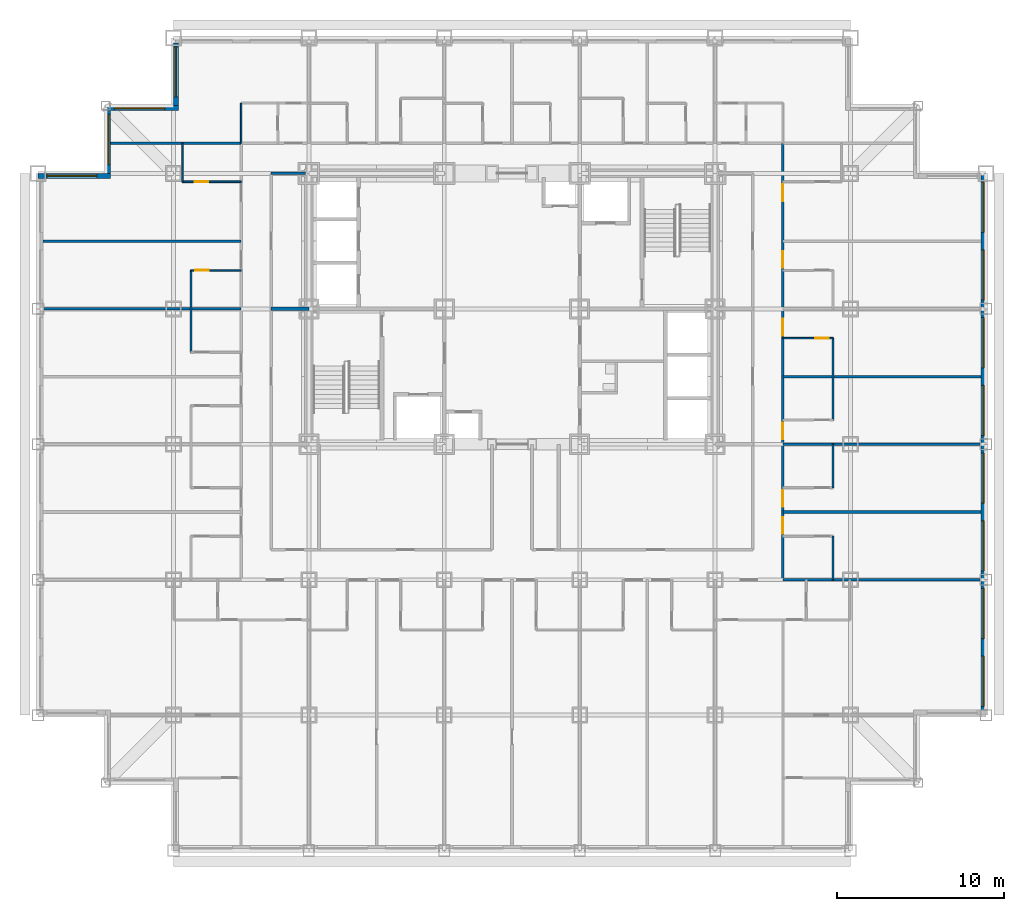
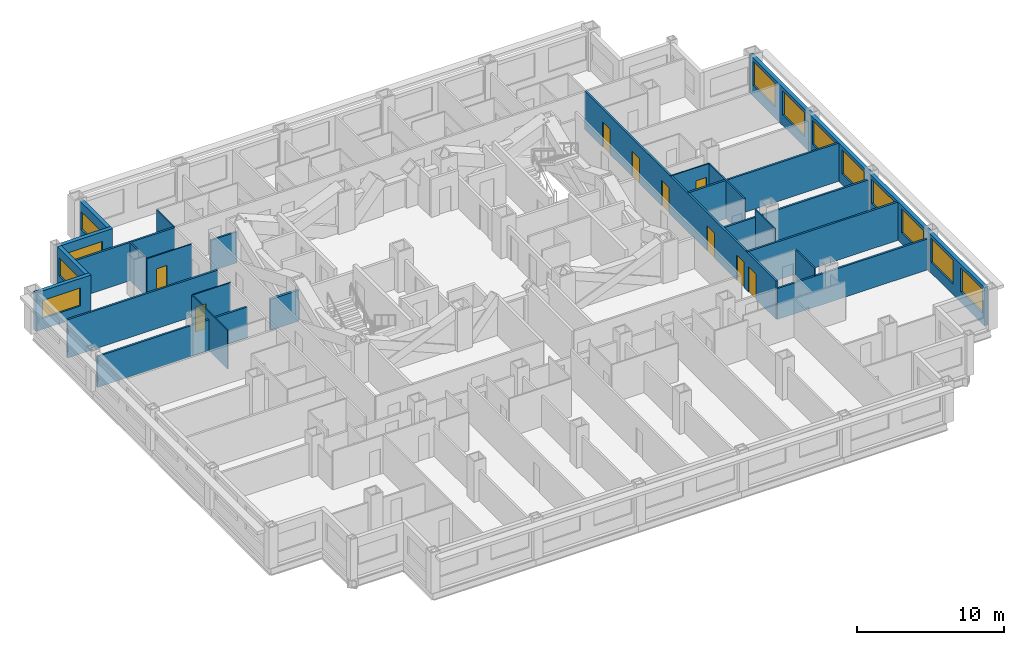
# One storey, part 7 of 12: 24 walls, 12 windows, 9 doors, 21 openings.
"""IFC4 building model written with IfcOpenShell, lengths in metres."""

from ifc_helpers import new_model, si_unit, direction, frame, frame_2d, origin, place, context, subcontext, project, spatial, rectangle, extrude, material, layer, layer_set, type_object, element, fill, save


model = new_model("IFC4")

# Units and contexts
model_context = context("Model", 3, precision=1e-05, world=origin(), true_north=direction((0.0, 1.0)))
body_context = subcontext(model_context, "Body", "Model", "MODEL_VIEW")
ifc_project = project(units=[si_unit("LENGTHUNIT", "METRE"), si_unit("AREAUNIT", "SQUARE_METRE"), si_unit("VOLUMEUNIT", "CUBIC_METRE"), si_unit("PLANEANGLEUNIT", "RADIAN"), si_unit("MASSUNIT", "GRAM", prefix="KILO")], contexts=[model_context])

# Site, building, storey
site_placement = place(None, origin())
site = spatial("IfcSite", under=ifc_project, at=site_placement, CompositionType="ELEMENT")
building_placement = place(site_placement, origin())
building = spatial("IfcBuilding", under=site, at=building_placement, Name="Kopane Lantern Tower", CompositionType="ELEMENT")
storey_placement = place(building_placement, frame((0.0, 0.0, 36.39990234375)))
storey = spatial("IfcBuildingStorey", under=building, at=storey_placement, Name="L07", CompositionType="ELEMENT", Elevation=36.39990234375)

# Wall
ifc_material_1 = material(Name="Moisture-resistant board on steel studs", Category="steel")
ifc_layer_1 = layer(ifc_material_1, 0.10009765625)
ifc_layer_set_1 = layer_set([ifc_layer_1], Name="BATHROOM WALL 100")
wall_type_1 = type_object("IfcWallType", Name="BATHROOM WALL 100", PredefinedType="PARTITIONING", material=ifc_layer_set_1)
wall_1_placement = place(storey_placement, frame((9.14990234375, 29.800048828125, 0.0), z_axis=(0.0, 0.0, 1.0), x_axis=(0.0, 1.0, 0.0)))
element("IfcWall", 1, at=wall_1_placement, inside=storey, type_object=wall_type_1, Name="Bathroom Wall 100 L07", PredefinedType="PARTITIONING", context=body_context, shape_type="SweptSolid", body=[
    extrude(rectangle(XDim=4.89990234375, YDim=0.10009765625, at=frame_2d((2.449951171875, 0.0))), origin(), (0.0, 0.0, 1.0), 3.190185546875),
])

# Wall, opening, door
wall_2_placement = place(storey_placement, frame((12.14990234375, 34.699951171875, 0.0), z_axis=(0.0, 0.0, 1.0), x_axis=(-1.0, 0.0, 0.0)))
wall_2 = element("IfcWall", 2, at=wall_2_placement, inside=storey, type_object=wall_type_1, Name="Bathroom Wall 100 L07", PredefinedType="PARTITIONING", context=body_context, shape_type="SweptSolid", body=[
    extrude(rectangle(XDim=3.0, YDim=0.10009765625, at=frame_2d((1.5, 0.0))), origin(), (0.0, 0.0, 1.0), 3.190185546875),
])
opening_1_placement = place(wall_2_placement, frame((1.949951171875, 0.0, 0.0)))
opening_1 = element("IfcOpeningElement", 3, at=opening_1_placement, cuts=wall_2, Name="Opening L07-043", PredefinedType="OPENING", context=body_context, shape_type="SweptSolid", body=[
    extrude(rectangle(XDim=0.800048828125, YDim=2.10009765625, at=frame_2d((0.39990234375, 1.050048828125))), frame((0.0, 0.06005859375, 0.0), z_axis=(0.0, -1.0, 0.0), x_axis=(1.0, 0.0, 0.0)), (0.0, 0.0, 1.0), 0.1201171875),
])
ifc_material_2 = material(Name="Timber door set", Category="wood")
door_type_1 = type_object("IfcDoorType", Name="DOOR D2 800x2100", OperationType="SINGLE_SWING_LEFT", PredefinedType="DOOR", material=ifc_material_2)
door_1_placement = place(opening_1_placement, origin())
door_1 = element("IfcDoor", 4, at=door_1_placement, inside=storey, type_object=door_type_1, Name="Door L07-043", OperationType="SINGLE_SWING_RIGHT", OverallHeight=2.10009765625, OverallWidth=0.800048828125, PredefinedType="DOOR", context=body_context, shape_type="SweptSolid", body=[
    extrude(rectangle(XDim=0.800048828125, YDim=2.10009765625, at=frame_2d((0.39990234375, 1.050048828125))), frame((0.0, 0.02490234375, 0.0), z_axis=(0.0, -1.0, 0.0), x_axis=(1.0, 0.0, 0.0)), (0.0, 0.0, 1.0), 0.050048828125),
])
fill(opening_1, door_1)

# Wall
wall_3_placement = place(storey_placement, frame((8.635009765625, 40.0, 0.0), z_axis=(0.0, 0.0, 1.0), x_axis=(0.0, 1.0, 0.0)))
element("IfcWall", 5, at=wall_3_placement, inside=storey, type_object=wall_type_1, Name="Bathroom Wall 100 L07", PredefinedType="PARTITIONING", context=body_context, shape_type="SweptSolid", body=[
    extrude(rectangle(XDim=2.300048828125, YDim=0.10009765625, at=frame_2d((1.14990234375, 0.0))), origin(), (0.0, 0.0, 1.0), 3.190185546875),
])

# Wall, opening, door
wall_4_placement = place(storey_placement, frame((12.14990234375, 40.0, 0.0), z_axis=(0.0, 0.0, 1.0), x_axis=(-1.0, 0.0, 0.0)))
wall_4 = element("IfcWall", 6, at=wall_4_placement, inside=storey, type_object=wall_type_1, Name="Bathroom Wall 100 L07", PredefinedType="PARTITIONING", context=body_context, shape_type="SweptSolid", body=[
    extrude(rectangle(XDim=3.514892578125, YDim=0.10009765625, at=frame_2d((1.75732421875, 0.0))), origin(), (0.0, 0.0, 1.0), 3.190185546875),
])
opening_2_placement = place(wall_4_placement, frame((1.965087890625, 0.0, 0.0)))
opening_2 = element("IfcOpeningElement", 7, at=opening_2_placement, cuts=wall_4, Name="Opening L07-045", PredefinedType="OPENING", context=body_context, shape_type="SweptSolid", body=[
    extrude(rectangle(XDim=0.800048828125, YDim=2.10009765625, at=frame_2d((0.39990234375, 1.050048828125))), frame((0.0, 0.06005859375, 0.0), z_axis=(0.0, -1.0, 0.0), x_axis=(1.0, 0.0, 0.0)), (0.0, 0.0, 1.0), 0.1201171875),
])
door_2_placement = place(opening_2_placement, origin())
door_2 = element("IfcDoor", 8, at=door_2_placement, inside=storey, type_object=door_type_1, Name="Door L07-045", OperationType="SINGLE_SWING_LEFT", OverallHeight=2.10009765625, OverallWidth=0.800048828125, PredefinedType="DOOR", context=body_context, shape_type="SweptSolid", body=[
    extrude(rectangle(XDim=0.800048828125, YDim=2.10009765625, at=frame_2d((0.39990234375, 1.050048828125))), frame((0.0, 0.02490234375, 0.0), z_axis=(0.0, -1.0, 0.0), x_axis=(1.0, 0.0, 0.0)), (0.0, 0.0, 1.0), 0.050048828125),
])
fill(opening_2, door_2)

# Walls
for number, where, z_axis, x_axis, name in (
    (9, (47.550048828125, 16.199951171875, 0.0), (0.0, 0.0, 1.0), (0.0, 1.0, 0.0), "Bathroom Wall 100 L07"),
    (10, (47.550048828125, 21.699951171875, 0.0), (0.0, 0.0, 1.0), (0.0, 1.0, 0.0), "Bathroom Wall 100 L07"),
):
    element("IfcWall", number, at=place(storey_placement, frame(where, z_axis=z_axis, x_axis=x_axis)), inside=storey, type_object=wall_type_1, Name=name, PredefinedType="PARTITIONING", context=body_context, shape_type="SweptSolid", body=[
        extrude(rectangle(XDim=2.60009765625, YDim=0.10009765625, at=frame_2d((1.300048828125, 0.0))), origin(), (0.0, 0.0, 1.0), 3.190185546875),
    ])
wall_5_placement = place(storey_placement, frame((47.550048828125, 25.75, 0.0), z_axis=(0.0, 0.0, 1.0), x_axis=(0.0, 1.0, 0.0)))
element("IfcWall", 11, at=wall_5_placement, inside=storey, type_object=wall_type_1, Name="Bathroom Wall 100 L07", PredefinedType="PARTITIONING", context=body_context, shape_type="SweptSolid", body=[
    extrude(rectangle(XDim=4.89990234375, YDim=0.10009765625, at=frame_2d((2.449951171875, 0.0))), origin(), (0.0, 0.0, 1.0), 3.190185546875),
])

# Wall, opening, door
wall_6_placement = place(storey_placement, frame((44.550048828125, 30.64990234375, 0.0), z_axis=(0.0, 0.0, 1.0), x_axis=(1.0, 0.0, 0.0)))
wall_6 = element("IfcWall", 12, at=wall_6_placement, inside=storey, type_object=wall_type_1, Name="Bathroom Wall 100 L07", PredefinedType="PARTITIONING", context=body_context, shape_type="SweptSolid", body=[
    extrude(rectangle(XDim=3.0, YDim=0.10009765625, at=frame_2d((1.5, 0.0))), origin(), (0.0, 0.0, 1.0), 3.190185546875),
])
opening_3_placement = place(wall_6_placement, frame((1.949951171875, 0.0, 0.0)))
opening_3 = element("IfcOpeningElement", 13, at=opening_3_placement, cuts=wall_6, Name="Opening L07-053", PredefinedType="OPENING", context=body_context, shape_type="SweptSolid", body=[
    extrude(rectangle(XDim=0.800048828125, YDim=2.10009765625, at=frame_2d((0.39990234375, 1.050048828125))), frame((0.0, 0.06005859375, 0.0), z_axis=(0.0, -1.0, 0.0), x_axis=(1.0, 0.0, 0.0)), (0.0, 0.0, 1.0), 0.1201171875),
])
door_3_placement = place(opening_3_placement, origin())
door_3 = element("IfcDoor", 14, at=door_3_placement, inside=storey, type_object=door_type_1, Name="Door L07-053", OperationType="SINGLE_SWING_LEFT", OverallHeight=2.10009765625, OverallWidth=0.800048828125, PredefinedType="DOOR", context=body_context, shape_type="SweptSolid", body=[
    extrude(rectangle(XDim=0.800048828125, YDim=2.10009765625, at=frame_2d((0.39990234375, 1.050048828125))), frame((0.0, 0.02490234375, 0.0), z_axis=(0.0, -1.0, 0.0), x_axis=(1.0, 0.0, 0.0)), (0.0, 0.0, 1.0), 0.050048828125),
])
fill(opening_3, door_3)

# Wall
wall_7_placement = place(storey_placement, frame((12.14990234375, 42.300048828125, 0.0), z_axis=(0.0, 0.0, 1.0), x_axis=(0.0, 1.0, 0.0)))
element("IfcWall", 15, at=wall_7_placement, inside=storey, type_object=wall_type_1, Name="Bathroom Wall 100 L07", PredefinedType="PARTITIONING", context=body_context, shape_type="SweptSolid", body=[
    extrude(rectangle(XDim=2.39990234375, YDim=0.10009765625, at=frame_2d((1.199951171875, 0.0))), origin(), (0.0, 0.0, 1.0), 3.190185546875),
])

# Wall, openings, doors
ifc_material_3 = material(Name="Gypsum board on steel studs", Category="steel")
ifc_layer_2 = layer(ifc_material_3, 0.14990234375)
ifc_layer_set_2 = layer_set([ifc_layer_2], Name="CORRIDOR WALL 150 EI 60")
wall_type_2 = type_object("IfcWallType", Name="CORRIDOR WALL 150 EI 60", PredefinedType="PARTITIONING", material=ifc_layer_set_2)
wall_8_placement = place(storey_placement, frame((44.550048828125, 16.199951171875, 0.0), z_axis=(0.0, 0.0, 1.0), x_axis=(0.0, 1.0, 0.0)))
wall_8 = element("IfcWall", 16, at=wall_8_placement, inside=storey, type_object=wall_type_2, Name="Corridor Wall 150 Ei 60 L07", PredefinedType="PARTITIONING", context=body_context, shape_type="SweptSolid", body=[
    extrude(rectangle(XDim=26.10009765625, YDim=0.14990234375, at=frame_2d((13.050048828125, 0.0))), origin(), (0.0, 0.0, 1.0), 3.190185546875),
])
opening_4_placement = place(wall_8_placement, frame((2.75, 0.0, 0.0)))
opening_4 = element("IfcOpeningElement", 17, at=opening_4_placement, cuts=wall_8, Name="Opening L07-048", PredefinedType="OPENING", context=body_context, shape_type="SweptSolid", body=[
    extrude(rectangle(XDim=1.0, YDim=2.10009765625, at=frame_2d((0.5, 1.050048828125))), frame((0.0, 0.0849609375, 0.0), z_axis=(0.0, -1.0, 0.0), x_axis=(1.0, 0.0, 0.0)), (0.0, 0.0, 1.0), 0.169921875),
])
opening_5_placement = place(wall_8_placement, frame((4.35009765625, 0.0, 0.0)))
opening_5 = element("IfcOpeningElement", 18, at=opening_5_placement, cuts=wall_8, Name="Opening L07-050", PredefinedType="OPENING", context=body_context, shape_type="SweptSolid", body=[
    extrude(rectangle(XDim=1.0, YDim=2.10009765625, at=frame_2d((0.5, 1.050048828125))), frame((0.0, 0.0849609375, 0.0), z_axis=(0.0, -1.0, 0.0), x_axis=(1.0, 0.0, 0.0)), (0.0, 0.0, 1.0), 0.169921875),
])
opening_6_placement = place(wall_8_placement, frame((8.39990234375, 0.0, 0.0)))
opening_6 = element("IfcOpeningElement", 19, at=opening_6_placement, cuts=wall_8, Name="Opening L07-052", PredefinedType="OPENING", context=body_context, shape_type="SweptSolid", body=[
    extrude(rectangle(XDim=1.0, YDim=2.10009765625, at=frame_2d((0.5, 1.050048828125))), frame((0.0, 0.0849609375, 0.0), z_axis=(0.0, -1.0, 0.0), x_axis=(1.0, 0.0, 0.0)), (0.0, 0.0, 1.0), 0.169921875),
])
opening_7_placement = place(wall_8_placement, frame((14.60009765625, 0.0, 0.0)))
opening_7 = element("IfcOpeningElement", 20, at=opening_7_placement, cuts=wall_8, Name="Opening L07-054", PredefinedType="OPENING", context=body_context, shape_type="SweptSolid", body=[
    extrude(rectangle(XDim=1.0, YDim=2.10009765625, at=frame_2d((0.5, 1.050048828125))), frame((0.0, 0.0849609375, 0.0), z_axis=(0.0, -1.0, 0.0), x_axis=(1.0, 0.0, 0.0)), (0.0, 0.0, 1.0), 0.169921875),
])
opening_8_placement = place(wall_8_placement, frame((18.64990234375, 0.0, 0.0)))
opening_8 = element("IfcOpeningElement", 21, at=opening_8_placement, cuts=wall_8, Name="Opening L07-056", PredefinedType="OPENING", context=body_context, shape_type="SweptSolid", body=[
    extrude(rectangle(XDim=1.0, YDim=2.10009765625, at=frame_2d((0.5, 1.050048828125))), frame((0.0, 0.0849609375, 0.0), z_axis=(0.0, -1.0, 0.0), x_axis=(1.0, 0.0, 0.0)), (0.0, 0.0, 1.0), 0.169921875),
])
opening_9_placement = place(wall_8_placement, frame((22.64990234375, 0.0, 0.0)))
opening_9 = element("IfcOpeningElement", 22, at=opening_9_placement, cuts=wall_8, Name="Opening L07-058", PredefinedType="OPENING", context=body_context, shape_type="SweptSolid", body=[
    extrude(rectangle(XDim=1.0, YDim=2.10009765625, at=frame_2d((0.5, 1.050048828125))), frame((0.0, 0.0849609375, 0.0), z_axis=(0.0, -1.0, 0.0), x_axis=(1.0, 0.0, 0.0)), (0.0, 0.0, 1.0), 0.169921875),
])
ifc_material_4 = material(Name="Steel door set", Category="steel")
door_type_2 = type_object("IfcDoorType", Name="DOOR D1 1000x2100 FD30S", OperationType="SINGLE_SWING_LEFT", PredefinedType="DOOR", material=ifc_material_4)
door_4_placement = place(opening_4_placement, origin())
door_4 = element("IfcDoor", 23, at=door_4_placement, inside=storey, type_object=door_type_2, Name="Door L07-048", OperationType="SINGLE_SWING_RIGHT", OverallHeight=2.10009765625, OverallWidth=1.0, PredefinedType="DOOR", context=body_context, shape_type="SweptSolid", body=[
    extrude(rectangle(XDim=1.0, YDim=2.10009765625, at=frame_2d((0.5, 1.050048828125))), frame((0.0, 0.02490234375, 0.0), z_axis=(0.0, -1.0, 0.0), x_axis=(1.0, 0.0, 0.0)), (0.0, 0.0, 1.0), 0.050048828125),
])
fill(opening_4, door_4)
door_5_placement = place(opening_5_placement, origin())
door_5 = element("IfcDoor", 24, at=door_5_placement, inside=storey, type_object=door_type_2, Name="Door L07-050", OperationType="SINGLE_SWING_LEFT", OverallHeight=2.10009765625, OverallWidth=1.0, PredefinedType="DOOR", context=body_context, shape_type="SweptSolid", body=[
    extrude(rectangle(XDim=1.0, YDim=2.10009765625, at=frame_2d((0.5, 1.050048828125))), frame((0.0, 0.02490234375, 0.0), z_axis=(0.0, -1.0, 0.0), x_axis=(1.0, 0.0, 0.0)), (0.0, 0.0, 1.0), 0.050048828125),
])
fill(opening_5, door_5)
door_6_placement = place(opening_6_placement, origin())
door_6 = element("IfcDoor", 25, at=door_6_placement, inside=storey, type_object=door_type_2, Name="Door L07-052", OperationType="SINGLE_SWING_LEFT", OverallHeight=2.10009765625, OverallWidth=1.0, PredefinedType="DOOR", context=body_context, shape_type="SweptSolid", body=[
    extrude(rectangle(XDim=1.0, YDim=2.10009765625, at=frame_2d((0.5, 1.050048828125))), frame((0.0, 0.02490234375, 0.0), z_axis=(0.0, -1.0, 0.0), x_axis=(1.0, 0.0, 0.0)), (0.0, 0.0, 1.0), 0.050048828125),
])
fill(opening_6, door_6)
door_7_placement = place(opening_7_placement, origin())
door_7 = element("IfcDoor", 26, at=door_7_placement, inside=storey, type_object=door_type_2, Name="Door L07-054", OperationType="SINGLE_SWING_RIGHT", OverallHeight=2.10009765625, OverallWidth=1.0, PredefinedType="DOOR", context=body_context, shape_type="SweptSolid", body=[
    extrude(rectangle(XDim=1.0, YDim=2.10009765625, at=frame_2d((0.5, 1.050048828125))), frame((0.0, 0.02490234375, 0.0), z_axis=(0.0, -1.0, 0.0), x_axis=(1.0, 0.0, 0.0)), (0.0, 0.0, 1.0), 0.050048828125),
])
fill(opening_7, door_7)
door_8_placement = place(opening_8_placement, origin())
door_8 = element("IfcDoor", 27, at=door_8_placement, inside=storey, type_object=door_type_2, Name="Door L07-056", OperationType="SINGLE_SWING_RIGHT", OverallHeight=2.10009765625, OverallWidth=1.0, PredefinedType="DOOR", context=body_context, shape_type="SweptSolid", body=[
    extrude(rectangle(XDim=1.0, YDim=2.10009765625, at=frame_2d((0.5, 1.050048828125))), frame((0.0, 0.02490234375, 0.0), z_axis=(0.0, -1.0, 0.0), x_axis=(1.0, 0.0, 0.0)), (0.0, 0.0, 1.0), 0.050048828125),
])
fill(opening_8, door_8)
door_9_placement = place(opening_9_placement, origin())
door_9 = element("IfcDoor", 28, at=door_9_placement, inside=storey, type_object=door_type_2, Name="Door L07-058", OperationType="SINGLE_SWING_LEFT", OverallHeight=2.10009765625, OverallWidth=1.0, PredefinedType="DOOR", context=body_context, shape_type="SweptSolid", body=[
    extrude(rectangle(XDim=1.0, YDim=2.10009765625, at=frame_2d((0.5, 1.050048828125))), frame((0.0, 0.02490234375, 0.0), z_axis=(0.0, -1.0, 0.0), x_axis=(1.0, 0.0, 0.0)), (0.0, 0.0, 1.0), 0.050048828125),
])
fill(opening_9, door_9)

# Walls
wall_9_placement = place(storey_placement, frame((16.0, 40.5, 0.0), z_axis=(0.0, 0.0, 1.0), x_axis=(-1.0, 0.0, 0.0)))
element("IfcWall", 29, at=wall_9_placement, inside=storey, type_object=wall_type_2, Name="Corridor Wall 150 Ei 60 L07", PredefinedType="PARTITIONING", context=body_context, shape_type="SweptSolid", body=[
    extrude(rectangle(XDim=2.050048828125, YDim=0.14990234375, at=frame_2d((1.02490234375, 0.0))), origin(), (0.0, 0.0, 1.0), 2.577880859375),
])
ifc_material_5 = material(Name="Gypsum board on steel studs", Category="steel")
ifc_layer_3 = layer(ifc_material_5, 0.14990234375)
ifc_layer_set_3 = layer_set([ifc_layer_3], Name="DEMISING WALL 150 EI 60")
wall_type_3 = type_object("IfcWallType", Name="DEMISING WALL 150 EI 60", PredefinedType="PARTITIONING", material=ifc_layer_set_3)
wall_10_placement = place(storey_placement, frame((12.14990234375, 32.39990234375, 0.0), z_axis=(0.0, 0.0, 1.0), x_axis=(-1.0, 0.0, 0.0)))
element("IfcWall", 30, at=wall_10_placement, inside=storey, type_object=wall_type_3, Name="Demising Wall 150 Ei 60 L07", PredefinedType="PARTITIONING", context=body_context, shape_type="SweptSolid", body=[
    extrude(rectangle(XDim=11.849853515625, YDim=0.14990234375, at=frame_2d((5.9248046875, 0.0))), origin(), (0.0, 0.0, 1.0), 2.577880859375),
])
for number, where, z_axis, x_axis, name in (
    (31, (12.14990234375, 36.449951171875, 0.0), (0.0, 0.0, 1.0), (-1.0, 0.0, 0.0), "Demising Wall 150 Ei 60 L07"),
    (32, (44.550048828125, 20.25, 0.0), (0.0, 0.0, 1.0), (1.0, 0.0, 0.0), "Demising Wall 150 Ei 60 L07"),
):
    element("IfcWall", number, at=place(storey_placement, frame(where, z_axis=z_axis, x_axis=x_axis)), inside=storey, type_object=wall_type_3, Name=name, PredefinedType="PARTITIONING", context=body_context, shape_type="SweptSolid", body=[
        extrude(rectangle(XDim=11.849853515625, YDim=0.14990234375, at=frame_2d((5.9248046875, 0.0))), origin(), (0.0, 0.0, 1.0), 3.190185546875),
    ])
wall_11_placement = place(storey_placement, frame((44.550048828125, 24.300048828125, 0.0), z_axis=(0.0, 0.0, 1.0), x_axis=(1.0, 0.0, 0.0)))
element("IfcWall", 33, at=wall_11_placement, inside=storey, type_object=wall_type_3, Name="Demising Wall 150 Ei 60 L07", PredefinedType="PARTITIONING", context=body_context, shape_type="SweptSolid", body=[
    extrude(rectangle(XDim=11.849853515625, YDim=0.14990234375, at=frame_2d((5.9248046875, 0.0))), origin(), (0.0, 0.0, 1.0), 2.577880859375),
])
wall_12_placement = place(storey_placement, frame((44.550048828125, 28.35009765625, 0.0), z_axis=(0.0, 0.0, 1.0), x_axis=(1.0, 0.0, 0.0)))
element("IfcWall", 34, at=wall_12_placement, inside=storey, type_object=wall_type_3, Name="Demising Wall 150 Ei 60 L07", PredefinedType="PARTITIONING", context=body_context, shape_type="SweptSolid", body=[
    extrude(rectangle(XDim=11.849853515625, YDim=0.14990234375, at=frame_2d((5.9248046875, 0.0))), origin(), (0.0, 0.0, 1.0), 3.190185546875),
])
wall_13_placement = place(storey_placement, frame((44.550048828125, 16.199951171875, 0.0), z_axis=(0.0, 0.0, 1.0), x_axis=(1.0, 0.0, 0.0)))
element("IfcWall", 35, at=wall_13_placement, inside=storey, type_object=wall_type_3, Name="Demising Wall 150 Ei 60 L07", PredefinedType="PARTITIONING", context=body_context, shape_type="SweptSolid", body=[
    extrude(rectangle(XDim=11.849853515625, YDim=0.14990234375, at=frame_2d((5.9248046875, 0.0))), origin(), (0.0, 0.0, 1.0), 2.577880859375),
])
wall_14_placement = place(storey_placement, frame((4.35009765625, 42.300048828125, 0.0), z_axis=(0.0, 0.0, 1.0), x_axis=(1.0, 0.0, 0.0)))
element("IfcWall", 36, at=wall_14_placement, inside=storey, type_object=wall_type_3, Name="Demising Wall 150 Ei 60 L07", PredefinedType="PARTITIONING", context=body_context, shape_type="SweptSolid", body=[
    extrude(rectangle(XDim=7.7998046875, YDim=0.14990234375, at=frame_2d((3.89990234375, 0.0))), origin(), (0.0, 0.0, 1.0), 3.190185546875),
])

# Wall, openings, windows
ifc_material_6 = material(Name="Terracotta rainscreen on light steel framing", Category="masonry")
ifc_layer_4 = layer(ifc_material_6, 0.300048828125)
ifc_layer_set_4 = layer_set([ifc_layer_4], Name="EXTERNAL WALL EW1 300 TERRACOTTA")
wall_type_4 = type_object("IfcWallType", Name="EXTERNAL WALL EW1 300 TERRACOTTA", PredefinedType="SOLIDWALL", material=ifc_layer_set_4)
wall_15_placement = place(storey_placement, frame((56.550048828125, 8.39990234375, 0.0), z_axis=(0.0, 0.0, 1.0), x_axis=(0.0, 1.0, 0.0)))
wall_15 = element("IfcWall", 37, at=wall_15_placement, inside=storey, type_object=wall_type_4, Name="External wall E L07", PredefinedType="SOLIDWALL", context=body_context, shape_type="SweptSolid", body=[
    extrude(rectangle(XDim=32.10009765625, YDim=0.300048828125, at=frame_2d((16.050048828125, 0.0))), origin(), (0.0, 0.0, 1.0), 3.190185546875),
])
opening_10_placement = place(wall_15_placement, frame((0.22509765625, 0.0, 0.89990234375)))
opening_10 = element("IfcOpeningElement", 38, at=opening_10_placement, cuts=wall_15, Name="Opening WR300200", PredefinedType="OPENING", context=body_context, shape_type="SweptSolid", body=[
    extrude(rectangle(XDim=3.0, YDim=2.0, at=frame_2d((1.5, 1.0))), frame((0.0, 0.159912109375, 0.0), z_axis=(0.0, -1.0, 0.0), x_axis=(1.0, 0.0, 0.0)), (0.0, 0.0, 1.0), 0.320068359375),
])
opening_11_placement = place(wall_15_placement, frame((4.27490234375, 0.0, 0.89990234375)))
opening_11 = element("IfcOpeningElement", 39, at=opening_11_placement, cuts=wall_15, Name="Opening WR300200", PredefinedType="OPENING", context=body_context, shape_type="SweptSolid", body=[
    extrude(rectangle(XDim=3.0, YDim=2.0, at=frame_2d((1.5, 1.0))), frame((0.0, 0.159912109375, 0.0), z_axis=(0.0, -1.0, 0.0), x_axis=(1.0, 0.0, 0.0)), (0.0, 0.0, 1.0), 0.320068359375),
])
opening_12_placement = place(wall_15_placement, frame((8.324951171875, 0.0, 0.89990234375)))
opening_12 = element("IfcOpeningElement", 40, at=opening_12_placement, cuts=wall_15, Name="Opening WR300200", PredefinedType="OPENING", context=body_context, shape_type="SweptSolid", body=[
    extrude(rectangle(XDim=3.0, YDim=2.0, at=frame_2d((1.5, 1.0))), frame((0.0, 0.159912109375, 0.0), z_axis=(0.0, -1.0, 0.0), x_axis=(1.0, 0.0, 0.0)), (0.0, 0.0, 1.0), 0.320068359375),
])
opening_13_placement = place(wall_15_placement, frame((12.375, 0.0, 0.89990234375)))
opening_13 = element("IfcOpeningElement", 41, at=opening_13_placement, cuts=wall_15, Name="Opening WR300200", PredefinedType="OPENING", context=body_context, shape_type="SweptSolid", body=[
    extrude(rectangle(XDim=3.0, YDim=2.0, at=frame_2d((1.5, 1.0))), frame((0.0, 0.159912109375, 0.0), z_axis=(0.0, -1.0, 0.0), x_axis=(1.0, 0.0, 0.0)), (0.0, 0.0, 1.0), 0.320068359375),
])
opening_14_placement = place(wall_15_placement, frame((16.425048828125, 0.0, 0.89990234375)))
opening_14 = element("IfcOpeningElement", 42, at=opening_14_placement, cuts=wall_15, Name="Opening WR300200", PredefinedType="OPENING", context=body_context, shape_type="SweptSolid", body=[
    extrude(rectangle(XDim=3.0, YDim=2.0, at=frame_2d((1.5, 1.0))), frame((0.0, 0.159912109375, 0.0), z_axis=(0.0, -1.0, 0.0), x_axis=(1.0, 0.0, 0.0)), (0.0, 0.0, 1.0), 0.320068359375),
])
opening_15_placement = place(wall_15_placement, frame((20.47509765625, 0.0, 0.89990234375)))
opening_15 = element("IfcOpeningElement", 43, at=opening_15_placement, cuts=wall_15, Name="Opening WR300200", PredefinedType="OPENING", context=body_context, shape_type="SweptSolid", body=[
    extrude(rectangle(XDim=3.0, YDim=2.0, at=frame_2d((1.5, 1.0))), frame((0.0, 0.159912109375, 0.0), z_axis=(0.0, -1.0, 0.0), x_axis=(1.0, 0.0, 0.0)), (0.0, 0.0, 1.0), 0.320068359375),
])
opening_16_placement = place(wall_15_placement, frame((24.52490234375, 0.0, 0.89990234375)))
opening_16 = element("IfcOpeningElement", 44, at=opening_16_placement, cuts=wall_15, Name="Opening WR300200", PredefinedType="OPENING", context=body_context, shape_type="SweptSolid", body=[
    extrude(rectangle(XDim=3.0, YDim=2.0, at=frame_2d((1.5, 1.0))), frame((0.0, 0.159912109375, 0.0), z_axis=(0.0, -1.0, 0.0), x_axis=(1.0, 0.0, 0.0)), (0.0, 0.0, 1.0), 0.320068359375),
])
opening_17_placement = place(wall_15_placement, frame((28.574951171875, 0.0, 0.89990234375)))
opening_17 = element("IfcOpeningElement", 45, at=opening_17_placement, cuts=wall_15, Name="Opening WR300200", PredefinedType="OPENING", context=body_context, shape_type="SweptSolid", body=[
    extrude(rectangle(XDim=3.0, YDim=2.0, at=frame_2d((1.5, 1.0))), frame((0.0, 0.159912109375, 0.0), z_axis=(0.0, -1.0, 0.0), x_axis=(1.0, 0.0, 0.0)), (0.0, 0.0, 1.0), 0.320068359375),
])
ifc_material_7 = material(Name="Aluminium and clear glass", Category="aluminium")
window_type_1 = type_object("IfcWindowType", Name="RIBBON WINDOW WR300200 3000x2000", PartitioningType="SINGLE_PANEL", PredefinedType="WINDOW", material=ifc_material_7)
window_1_placement = place(opening_10_placement, origin())
window_1 = element("IfcWindow", 46, at=window_1_placement, inside=storey, type_object=window_type_1, Name="Window E L07", OverallHeight=2.0, OverallWidth=3.0, PartitioningType="SINGLE_PANEL", PredefinedType="WINDOW", context=body_context, shape_type="SweptSolid", body=[
    extrude(rectangle(XDim=3.0, YDim=2.0, at=frame_2d((1.5, 1.0))), frame((0.0, 0.030029296875, 0.0), z_axis=(0.0, -1.0, 0.0), x_axis=(1.0, 0.0, 0.0)), (0.0, 0.0, 1.0), 0.06005859375),
])
fill(opening_10, window_1)
window_2_placement = place(opening_11_placement, origin())
window_2 = element("IfcWindow", 47, at=window_2_placement, inside=storey, type_object=window_type_1, Name="Window E L07", OverallHeight=2.0, OverallWidth=3.0, PartitioningType="SINGLE_PANEL", PredefinedType="WINDOW", context=body_context, shape_type="SweptSolid", body=[
    extrude(rectangle(XDim=3.0, YDim=2.0, at=frame_2d((1.5, 1.0))), frame((0.0, 0.030029296875, 0.0), z_axis=(0.0, -1.0, 0.0), x_axis=(1.0, 0.0, 0.0)), (0.0, 0.0, 1.0), 0.06005859375),
])
fill(opening_11, window_2)
window_3_placement = place(opening_12_placement, origin())
window_3 = element("IfcWindow", 48, at=window_3_placement, inside=storey, type_object=window_type_1, Name="Window E L07", OverallHeight=2.0, OverallWidth=3.0, PartitioningType="SINGLE_PANEL", PredefinedType="WINDOW", context=body_context, shape_type="SweptSolid", body=[
    extrude(rectangle(XDim=3.0, YDim=2.0, at=frame_2d((1.5, 1.0))), frame((0.0, 0.030029296875, 0.0), z_axis=(0.0, -1.0, 0.0), x_axis=(1.0, 0.0, 0.0)), (0.0, 0.0, 1.0), 0.06005859375),
])
fill(opening_12, window_3)
window_4_placement = place(opening_13_placement, origin())
window_4 = element("IfcWindow", 49, at=window_4_placement, inside=storey, type_object=window_type_1, Name="Window E L07", OverallHeight=2.0, OverallWidth=3.0, PartitioningType="SINGLE_PANEL", PredefinedType="WINDOW", context=body_context, shape_type="SweptSolid", body=[
    extrude(rectangle(XDim=3.0, YDim=2.0, at=frame_2d((1.5, 1.0))), frame((0.0, 0.030029296875, 0.0), z_axis=(0.0, -1.0, 0.0), x_axis=(1.0, 0.0, 0.0)), (0.0, 0.0, 1.0), 0.06005859375),
])
fill(opening_13, window_4)
window_5_placement = place(opening_14_placement, origin())
window_5 = element("IfcWindow", 50, at=window_5_placement, inside=storey, type_object=window_type_1, Name="Window E L07", OverallHeight=2.0, OverallWidth=3.0, PartitioningType="SINGLE_PANEL", PredefinedType="WINDOW", context=body_context, shape_type="SweptSolid", body=[
    extrude(rectangle(XDim=3.0, YDim=2.0, at=frame_2d((1.5, 1.0))), frame((0.0, 0.030029296875, 0.0), z_axis=(0.0, -1.0, 0.0), x_axis=(1.0, 0.0, 0.0)), (0.0, 0.0, 1.0), 0.06005859375),
])
fill(opening_14, window_5)
window_6_placement = place(opening_15_placement, origin())
window_6 = element("IfcWindow", 51, at=window_6_placement, inside=storey, type_object=window_type_1, Name="Window E L07", OverallHeight=2.0, OverallWidth=3.0, PartitioningType="SINGLE_PANEL", PredefinedType="WINDOW", context=body_context, shape_type="SweptSolid", body=[
    extrude(rectangle(XDim=3.0, YDim=2.0, at=frame_2d((1.5, 1.0))), frame((0.0, 0.030029296875, 0.0), z_axis=(0.0, -1.0, 0.0), x_axis=(1.0, 0.0, 0.0)), (0.0, 0.0, 1.0), 0.06005859375),
])
fill(opening_15, window_6)
window_7_placement = place(opening_16_placement, origin())
window_7 = element("IfcWindow", 52, at=window_7_placement, inside=storey, type_object=window_type_1, Name="Window E L07", OverallHeight=2.0, OverallWidth=3.0, PartitioningType="SINGLE_PANEL", PredefinedType="WINDOW", context=body_context, shape_type="SweptSolid", body=[
    extrude(rectangle(XDim=3.0, YDim=2.0, at=frame_2d((1.5, 1.0))), frame((0.0, 0.030029296875, 0.0), z_axis=(0.0, -1.0, 0.0), x_axis=(1.0, 0.0, 0.0)), (0.0, 0.0, 1.0), 0.06005859375),
])
fill(opening_16, window_7)
window_8_placement = place(opening_17_placement, origin())
window_8 = element("IfcWindow", 53, at=window_8_placement, inside=storey, type_object=window_type_1, Name="Window E L07", OverallHeight=2.0, OverallWidth=3.0, PartitioningType="SINGLE_PANEL", PredefinedType="WINDOW", context=body_context, shape_type="SweptSolid", body=[
    extrude(rectangle(XDim=3.0, YDim=2.0, at=frame_2d((1.5, 1.0))), frame((0.0, 0.030029296875, 0.0), z_axis=(0.0, -1.0, 0.0), x_axis=(1.0, 0.0, 0.0)), (0.0, 0.0, 1.0), 0.06005859375),
])
fill(opening_17, window_8)

# Wall, opening, window
wall_16_placement = place(storey_placement, frame((8.25, 48.300048828125, 0.0), z_axis=(0.0, 0.0, 1.0), x_axis=(0.0, -1.0, 0.0)))
wall_16 = element("IfcWall", 54, at=wall_16_placement, inside=storey, type_object=wall_type_4, Name="External wall W L07", PredefinedType="SOLIDWALL", context=body_context, shape_type="SweptSolid", body=[
    extrude(rectangle(XDim=3.75, YDim=0.300048828125, at=frame_2d((1.875, 0.0))), origin(), (0.0, 0.0, 1.0), 3.190185546875),
])
opening_18_placement = place(wall_16_placement, frame((0.22509765625, 0.0, 0.89990234375)))
opening_18 = element("IfcOpeningElement", 55, at=opening_18_placement, cuts=wall_16, Name="Opening WR300150", PredefinedType="OPENING", context=body_context, shape_type="SweptSolid", body=[
    extrude(rectangle(XDim=3.0, YDim=1.5, at=frame_2d((1.5, 0.75))), frame((0.0, 0.159912109375, 0.0), z_axis=(0.0, -1.0, 0.0), x_axis=(1.0, 0.0, 0.0)), (0.0, 0.0, 1.0), 0.320068359375),
])
ifc_material_8 = material(Name="Aluminium and clear glass", Category="aluminium")
window_type_2 = type_object("IfcWindowType", Name="RIBBON WINDOW WR300150 3000x1500", PartitioningType="SINGLE_PANEL", PredefinedType="WINDOW", material=ifc_material_8)
window_9_placement = place(opening_18_placement, origin())
window_9 = element("IfcWindow", 56, at=window_9_placement, inside=storey, type_object=window_type_2, Name="Window W L07", OverallHeight=1.5, OverallWidth=3.0, PartitioningType="SINGLE_PANEL", PredefinedType="WINDOW", context=body_context, shape_type="SweptSolid", body=[
    extrude(rectangle(XDim=3.0, YDim=1.5, at=frame_2d((1.5, 0.75))), frame((0.0, 0.030029296875, 0.0), z_axis=(0.0, -1.0, 0.0), x_axis=(1.0, 0.0, 0.0)), (0.0, 0.0, 1.0), 0.06005859375),
])
fill(opening_18, window_9)

wall_17_placement = place(storey_placement, frame((8.39990234375, 44.39990234375, 0.0), z_axis=(0.0, 0.0, 1.0), x_axis=(-1.0, 0.0, 0.0)))
wall_17 = element("IfcWall", 57, at=wall_17_placement, inside=storey, type_object=wall_type_4, Name="External wall N L07", PredefinedType="SOLIDWALL", context=body_context, shape_type="SweptSolid", body=[
    extrude(rectangle(XDim=4.349853515625, YDim=0.300048828125, at=frame_2d((2.1748046875, 0.0))), origin(), (0.0, 0.0, 1.0), 3.190185546875),
])
opening_19_placement = place(wall_17_placement, frame((0.824951171875, 0.0, 0.89990234375)))
opening_19 = element("IfcOpeningElement", 58, at=opening_19_placement, cuts=wall_17, Name="Opening WR300150", PredefinedType="OPENING", context=body_context, shape_type="SweptSolid", body=[
    extrude(rectangle(XDim=3.0, YDim=1.5, at=frame_2d((1.5, 0.75))), frame((0.0, 0.159912109375, 0.0), z_axis=(0.0, -1.0, 0.0), x_axis=(1.0, 0.0, 0.0)), (0.0, 0.0, 1.0), 0.320068359375),
])
window_10_placement = place(opening_19_placement, origin())
window_10 = element("IfcWindow", 59, at=window_10_placement, inside=storey, type_object=window_type_2, Name="Window N L07", OverallHeight=1.5, OverallWidth=3.0, PartitioningType="SINGLE_PANEL", PredefinedType="WINDOW", context=body_context, shape_type="SweptSolid", body=[
    extrude(rectangle(XDim=3.0, YDim=1.5, at=frame_2d((1.5, 0.75))), frame((0.0, 0.030029296875, 0.0), z_axis=(0.0, -1.0, 0.0), x_axis=(1.0, 0.0, 0.0)), (0.0, 0.0, 1.0), 0.06005859375),
])
fill(opening_19, window_10)

wall_18_placement = place(storey_placement, frame((4.199951171875, 44.25, 0.0), z_axis=(0.0, 0.0, 1.0), x_axis=(0.0, -1.0, 0.0)))
wall_18 = element("IfcWall", 60, at=wall_18_placement, inside=storey, type_object=wall_type_4, Name="External wall W L07", PredefinedType="SOLIDWALL", context=body_context, shape_type="SweptSolid", body=[
    extrude(rectangle(XDim=3.75, YDim=0.300048828125, at=frame_2d((1.875, 0.0))), origin(), (0.0, 0.0, 1.0), 3.190185546875),
])
opening_20_placement = place(wall_18_placement, frame((0.22509765625, 0.0, 0.89990234375)))
opening_20 = element("IfcOpeningElement", 61, at=opening_20_placement, cuts=wall_18, Name="Opening WR300150", PredefinedType="OPENING", context=body_context, shape_type="SweptSolid", body=[
    extrude(rectangle(XDim=3.0, YDim=1.5, at=frame_2d((1.5, 0.75))), frame((0.0, 0.159912109375, 0.0), z_axis=(0.0, -1.0, 0.0), x_axis=(1.0, 0.0, 0.0)), (0.0, 0.0, 1.0), 0.320068359375),
])
window_11_placement = place(opening_20_placement, origin())
window_11 = element("IfcWindow", 62, at=window_11_placement, inside=storey, type_object=window_type_2, Name="Window W L07", OverallHeight=1.5, OverallWidth=3.0, PartitioningType="SINGLE_PANEL", PredefinedType="WINDOW", context=body_context, shape_type="SweptSolid", body=[
    extrude(rectangle(XDim=3.0, YDim=1.5, at=frame_2d((1.5, 0.75))), frame((0.0, 0.030029296875, 0.0), z_axis=(0.0, -1.0, 0.0), x_axis=(1.0, 0.0, 0.0)), (0.0, 0.0, 1.0), 0.06005859375),
])
fill(opening_20, window_11)

wall_19_placement = place(storey_placement, frame((4.35009765625, 40.35009765625, 0.0), z_axis=(0.0, 0.0, 1.0), x_axis=(-1.0, 0.0, 0.0)))
wall_19 = element("IfcWall", 63, at=wall_19_placement, inside=storey, type_object=wall_type_4, Name="External wall N L07", PredefinedType="SOLIDWALL", context=body_context, shape_type="SweptSolid", body=[
    extrude(rectangle(XDim=4.35009765625, YDim=0.300048828125, at=frame_2d((2.175048828125, 0.0))), origin(), (0.0, 0.0, 1.0), 3.190185546875),
])
opening_21_placement = place(wall_19_placement, frame((0.824951171875, 0.0, 0.89990234375)))
opening_21 = element("IfcOpeningElement", 64, at=opening_21_placement, cuts=wall_19, Name="Opening WR300150", PredefinedType="OPENING", context=body_context, shape_type="SweptSolid", body=[
    extrude(rectangle(XDim=3.0, YDim=1.5, at=frame_2d((1.5, 0.75))), frame((0.0, 0.159912109375, 0.0), z_axis=(0.0, -1.0, 0.0), x_axis=(1.0, 0.0, 0.0)), (0.0, 0.0, 1.0), 0.320068359375),
])
window_12_placement = place(opening_21_placement, origin())
window_12 = element("IfcWindow", 65, at=window_12_placement, inside=storey, type_object=window_type_2, Name="Window N L07", OverallHeight=1.5, OverallWidth=3.0, PartitioningType="SINGLE_PANEL", PredefinedType="WINDOW", context=body_context, shape_type="SweptSolid", body=[
    extrude(rectangle(XDim=3.0, YDim=1.5, at=frame_2d((1.5, 0.75))), frame((0.0, 0.030029296875, 0.0), z_axis=(0.0, -1.0, 0.0), x_axis=(1.0, 0.0, 0.0)), (0.0, 0.0, 1.0), 0.06005859375),
])
fill(opening_21, window_12)

# Wall
ifc_material_9 = material(Name="Concrete masonry", Category="masonry")
ifc_layer_5 = layer(ifc_material_9, 0.199951171875)
ifc_layer_set_5 = layer_set([ifc_layer_5], Name="PLANT ROOM WALL 200 EI 120")
wall_type_5 = type_object("IfcWallType", Name="PLANT ROOM WALL 200 EI 120", PredefinedType="SOLIDWALL", material=ifc_layer_set_5)
wall_20_placement = place(storey_placement, frame((13.949951171875, 32.39990234375, 0.0), z_axis=(0.0, 0.0, 1.0), x_axis=(1.0, 0.0, 0.0)))
element("IfcWall", 66, at=wall_20_placement, inside=storey, type_object=wall_type_5, Name="Plant Room Wall 200 Ei 120 L07", PredefinedType="SOLIDWALL", context=body_context, shape_type="SweptSolid", body=[
    extrude(rectangle(XDim=2.25, YDim=0.199951171875, at=frame_2d((1.125, 0.0))), origin(), (0.0, 0.0, 1.0), 2.577880859375),
])

save(model, "model.ifc")
